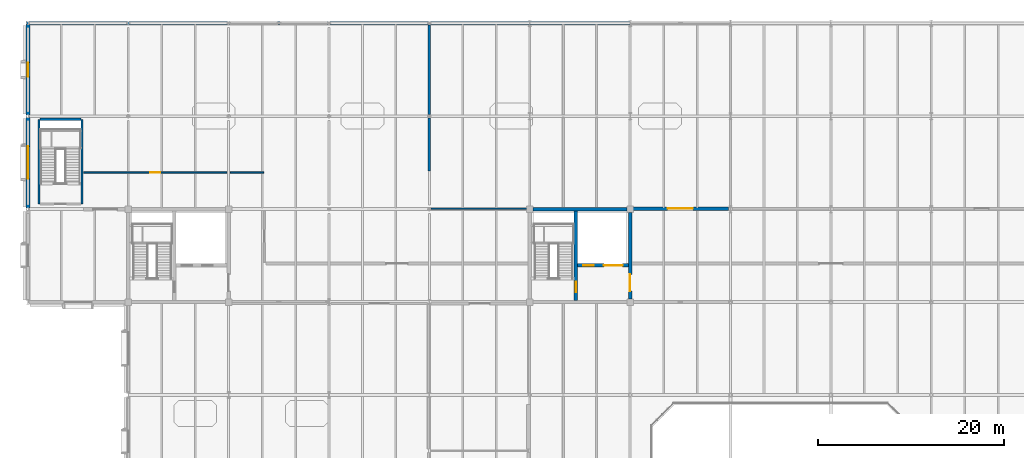
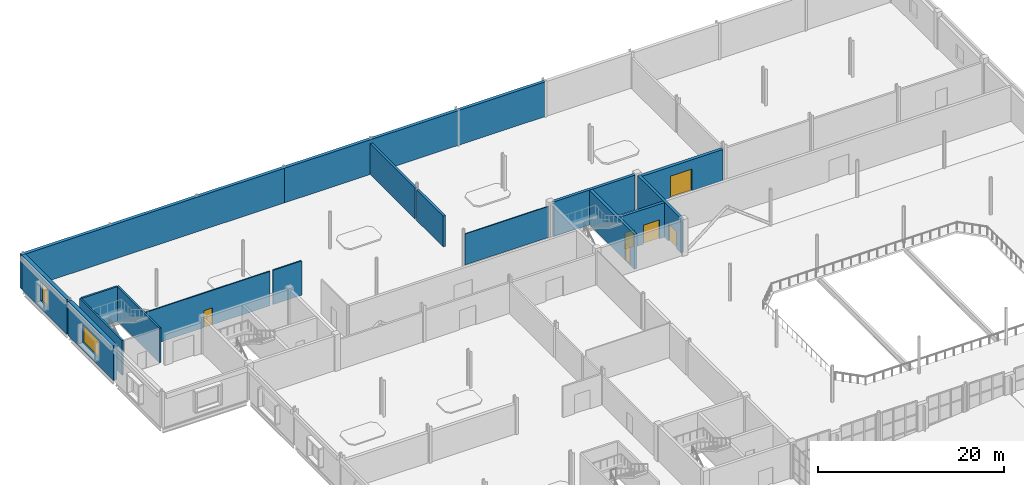
# One storey, part 78 of 92: 17 walls, 6 doors, 2 windows, 8 openings.
"""IFC4 building model written with IfcOpenShell, lengths in metres."""

from ifc_helpers import new_model, si_unit, direction, frame, frame_2d, origin, place, context, subcontext, project, spatial, rectangle, extrude, material, layer, layer_set, type_object, element, fill, save


model = new_model("IFC4")

# Units and contexts
model_context = context("Model", 3, precision=1e-05, world=origin(), true_north=direction((0.0, 1.0)))
body_context = subcontext(model_context, "Body", "Model", "MODEL_VIEW")
ifc_project = project(units=[si_unit("LENGTHUNIT", "METRE"), si_unit("AREAUNIT", "SQUARE_METRE"), si_unit("VOLUMEUNIT", "CUBIC_METRE"), si_unit("PLANEANGLEUNIT", "RADIAN"), si_unit("MASSUNIT", "GRAM", prefix="KILO")], contexts=[model_context])

# Site, building, storey
site_placement = place(None, origin())
site = spatial("IfcSite", under=ifc_project, at=site_placement, CompositionType="ELEMENT")
building_placement = place(site_placement, origin())
building = spatial("IfcBuilding", under=site, at=building_placement, Name="Tasgan Crest Museum", CompositionType="ELEMENT")
storey_placement = place(building_placement, frame((0.0, 0.0, 4.800048828125)))
storey = spatial("IfcBuildingStorey", under=building, at=storey_placement, Name="L01", CompositionType="ELEMENT", Elevation=4.800048828125)

# Wall
ifc_material_1 = material(Name="Concrete C40/50", Category="concrete")
ifc_layer_1 = layer(ifc_material_1, 0.35009765625, Name="WL-CORE-350")
ifc_layer_set_1 = layer_set([ifc_layer_1], Name="Concrete C40/50")
wall_type_1 = type_object("IfcWallType", Name="WL-CORE-350", PredefinedType="SHEAR", material=ifc_layer_set_1)
wall_1_placement = place(storey_placement, frame((54.35009765625, 92.0, 0.0), z_axis=(0.0, 0.0, 1.0), x_axis=(1.0, 0.0, 0.0)))
element("IfcWall", 1, at=wall_1_placement, inside=storey, type_object=wall_type_1, Name="North-Central Sawtooth Core north shear wall L01", PredefinedType="SHEAR", context=body_context, shape_type="SweptSolid", body=[
    extrude(rectangle(XDim=10.099853515625, YDim=0.35009765625, at=frame_2d((5.0498046875, 0.0))), origin(), (0.0, 0.0, 1.0), 4.56005859375),
])

# Wall, opening, door
wall_2_placement = place(storey_placement, frame((64.800048828125, 82.35009765625, 0.0), z_axis=(0.0, 0.0, 1.0), x_axis=(0.0, 1.0, 0.0)))
wall_2 = element("IfcWall", 2, at=wall_2_placement, inside=storey, type_object=wall_type_1, Name="North-Central Sawtooth Core east shear wall L01", PredefinedType="SHEAR", context=body_context, shape_type="SweptSolid", body=[
    extrude(rectangle(XDim=9.2998046875, YDim=0.35009765625, at=frame_2d((4.64990234375, 0.0))), origin(), (0.0, 0.0, 1.0), 4.56005859375),
])
opening_1_placement = place(wall_2_placement, frame((0.830078125, 0.0, 0.0)))
opening_1 = element("IfcOpeningElement", 3, at=opening_1_placement, cuts=wall_2, Name="Opening LD-NC-L01", PredefinedType="OPENING", context=body_context, shape_type="SweptSolid", body=[
    extrude(rectangle(XDim=1.800048828125, YDim=2.25, at=frame_2d((0.89990234375, 1.125))), frame((0.0, 0.18505859375, 0.0), z_axis=(0.0, -1.0, 0.0), x_axis=(1.0, 0.0, 0.0)), (0.0, 0.0, 1.0), 0.3701171875),
])
ifc_material_2 = material(Name="Fire-Rated Double Lobby Door")
door_type_1 = type_object("IfcDoorType", Name="DR-FD2-1800", OperationType="NOTDEFINED", PredefinedType="DOOR", material=ifc_material_2)
door_1_placement = place(opening_1_placement, origin())
door_1 = element("IfcDoor", 4, at=door_1_placement, inside=storey, type_object=door_type_1, Name="North-Central Sawtooth Core lobby door L01", OperationType="DOUBLE_DOOR_SINGLE_SWING", OverallHeight=2.25, OverallWidth=1.800048828125, PredefinedType="DOOR", context=body_context, shape_type="SweptSolid", body=[
    extrude(rectangle(XDim=1.800048828125, YDim=2.25, at=frame_2d((0.89990234375, 1.125))), frame((0.0, 0.02490234375, 0.0), z_axis=(0.0, -1.0, 0.0), x_axis=(1.0, 0.0, 0.0)), (0.0, 0.0, 1.0), 0.050048828125),
])
fill(opening_1, door_1)

wall_3_placement = place(storey_placement, frame((58.949951171875, 82.175048828125, 0.0), z_axis=(0.0, 0.0, 1.0), x_axis=(0.0, 1.0, 0.0)))
wall_3 = element("IfcWall", 5, at=wall_3_placement, inside=storey, type_object=wall_type_1, Name="North-Central Sawtooth Core stair-lobby shear wall L01", PredefinedType="SHEAR", context=body_context, shape_type="SweptSolid", body=[
    extrude(rectangle(XDim=9.64990234375, YDim=0.35009765625, at=frame_2d((4.824951171875, 0.0))), origin(), (0.0, 0.0, 1.0), 4.56005859375),
])
opening_2_placement = place(wall_3_placement, frame((0.89990234375, 0.0, 0.0)))
opening_2 = element("IfcOpeningElement", 6, at=opening_2_placement, cuts=wall_3, Name="Opening SD-NC-L01", PredefinedType="OPENING", context=body_context, shape_type="SweptSolid", body=[
    extrude(rectangle(XDim=1.10009765625, YDim=2.199951171875, at=frame_2d((0.550048828125, 1.10009765625))), frame((0.0, 0.18505859375, 0.0), z_axis=(0.0, -1.0, 0.0), x_axis=(1.0, 0.0, 0.0)), (0.0, 0.0, 1.0), 0.3701171875),
])
ifc_material_3 = material(Name="Fire-Rated Steel Door", Category="steel")
door_type_2 = type_object("IfcDoorType", Name="DR-FD1-1100", OperationType="NOTDEFINED", PredefinedType="DOOR", material=ifc_material_3)
door_2_placement = place(opening_2_placement, origin())
door_2 = element("IfcDoor", 7, at=door_2_placement, inside=storey, type_object=door_type_2, Name="North-Central Sawtooth Core stair door L01", OperationType="SINGLE_SWING_RIGHT", OverallHeight=2.199951171875, OverallWidth=1.10009765625, PredefinedType="DOOR", context=body_context, shape_type="SweptSolid", body=[
    extrude(rectangle(XDim=1.10009765625, YDim=2.199951171875, at=frame_2d((0.550048828125, 1.10009765625))), frame((0.0, 0.02490234375, 0.0), z_axis=(0.0, -1.0, 0.0), x_axis=(1.0, 0.0, 0.0)), (0.0, 0.0, 1.0), 0.050048828125),
])
fill(opening_2, door_2)

# Wall, openings, doors
wall_4_placement = place(storey_placement, frame((59.1298828125, 85.949951171875, 0.0), z_axis=(0.0, 0.0, 1.0), x_axis=(1.0, 0.0, 0.0)))
wall_4 = element("IfcWall", 8, at=wall_4_placement, inside=storey, type_object=wall_type_1, Name="North-Central Sawtooth Core lift-shaft wall L01", PredefinedType="SHEAR", context=body_context, shape_type="SweptSolid", body=[
    extrude(rectangle(XDim=5.490234375, YDim=0.35009765625, at=frame_2d((2.7451171875, 0.0))), origin(), (0.0, 0.0, 1.0), 4.56005859375),
])
opening_3_placement = place(wall_4_placement, frame((0.64990234375, 0.0, 0.0)))
opening_3 = element("IfcOpeningElement", 9, at=opening_3_placement, cuts=wall_4, Name="Opening LD-FL2", PredefinedType="OPENING", context=body_context, shape_type="SweptSolid", body=[
    extrude(rectangle(XDim=1.10009765625, YDim=2.199951171875, at=frame_2d((0.550048828125, 1.10009765625))), frame((0.0, 0.18505859375, 0.0), z_axis=(0.0, -1.0, 0.0), x_axis=(1.0, 0.0, 0.0)), (0.0, 0.0, 1.0), 0.3701171875),
])
opening_4_placement = place(wall_4_placement, frame((2.85009765625, 0.0, 0.0)))
opening_4 = element("IfcOpeningElement", 10, at=opening_4_placement, cuts=wall_4, Name="Opening LD-GL1", PredefinedType="OPENING", context=body_context, shape_type="SweptSolid", body=[
    extrude(rectangle(XDim=2.0, YDim=2.5, at=frame_2d((1.0, 1.25))), frame((0.0, 0.18505859375, 0.0), z_axis=(0.0, -1.0, 0.0), x_axis=(1.0, 0.0, 0.0)), (0.0, 0.0, 1.0), 0.3701171875),
])
ifc_material_4 = material(Name="Stainless Steel Firefighting Lift Landing Door", Category="steel")
door_type_3 = type_object("IfcDoorType", Name="LD-FF-1100", OperationType="NOTDEFINED", PredefinedType="DOOR", material=ifc_material_4)
door_3_placement = place(opening_3_placement, origin())
door_3 = element("IfcDoor", 11, at=door_3_placement, inside=storey, type_object=door_type_3, Name="Firefighting lift landing door FL2 L01", OperationType="DOUBLE_DOOR_SLIDING", OverallHeight=2.199951171875, OverallWidth=1.10009765625, PredefinedType="DOOR", context=body_context, shape_type="SweptSolid", body=[
    extrude(rectangle(XDim=1.10009765625, YDim=2.199951171875, at=frame_2d((0.550048828125, 1.10009765625))), frame((0.0, 0.02490234375, 0.0), z_axis=(0.0, -1.0, 0.0), x_axis=(1.0, 0.0, 0.0)), (0.0, 0.0, 1.0), 0.050048828125),
])
fill(opening_3, door_3)
ifc_material_5 = material(Name="Heavy-Duty Bi-Parting Goods Lift Landing Door")
door_type_4 = type_object("IfcDoorType", Name="LD-GDS-2000", OperationType="NOTDEFINED", PredefinedType="DOOR", material=ifc_material_5)
door_4_placement = place(opening_4_placement, origin())
door_4 = element("IfcDoor", 12, at=door_4_placement, inside=storey, type_object=door_type_4, Name="Lift landing sliding door GL1 L01", OperationType="DOUBLE_DOOR_SLIDING", OverallHeight=2.5, OverallWidth=2.0, PredefinedType="DOOR", context=body_context, shape_type="SweptSolid", body=[
    extrude(rectangle(XDim=2.0, YDim=2.5, at=frame_2d((1.0, 1.25))), frame((0.0, 0.02490234375, 0.0), z_axis=(0.0, -1.0, 0.0), x_axis=(1.0, 0.0, 0.0)), (0.0, 0.0, 1.0), 0.050048828125),
])
fill(opening_4, door_4)

# Wall, opening, window
ifc_material_6 = material(Name="Precast concrete C40/50", Category="concrete")
ifc_layer_2 = layer(ifc_material_6, 0.449951171875, Name="WL-EXT-LIME-450")
ifc_layer_set_2 = layer_set([ifc_layer_2], Name="Precast concrete C40/50")
wall_type_2 = type_object("IfcWallType", Name="WL-EXT-LIME-450", PredefinedType="STANDARD", material=ifc_layer_set_2)
wall_5_placement = place(storey_placement, frame((0.0, 111.85498046875, 0.0), z_axis=(0.0, 0.0, 1.0), x_axis=(0.0, -1.0, 0.0)))
wall_5 = element("IfcWall", 13, at=wall_5_placement, inside=storey, type_object=wall_type_2, Name="Exterior wall L01 (0.0,107.0)", PredefinedType="STANDARD", context=body_context, shape_type="SweptSolid", body=[
    extrude(rectangle(XDim=9.7099609375, YDim=0.449951171875, at=frame_2d((4.85498046875, 0.0))), origin(), (0.0, 0.0, 1.0), 4.56005859375),
])
opening_5_placement = place(wall_5_placement, frame((4.080078125, 0.0, 1.0)))
opening_5 = element("IfcOpeningElement", 14, at=opening_5_placement, cuts=wall_5, Name="Opening W34", PredefinedType="OPENING", context=body_context, shape_type="SweptSolid", body=[
    extrude(rectangle(XDim=1.550048828125, YDim=2.5, at=frame_2d((0.77490234375, 1.25))), frame((0.0, 0.23486328125, 0.0), z_axis=(0.0, -1.0, 0.0), x_axis=(1.0, 0.0, 0.0)), (0.0, 0.0, 1.0), 0.469970703125),
])
ifc_material_7 = material(Name="Thermally Broken Triple-Glazed Aluminium", Category="aluminium")
window_type_1 = type_object("IfcWindowType", Name="WN-GAL-1550X2500", PartitioningType="SINGLE_PANEL", PredefinedType="WINDOW", material=ifc_material_7)
window_1_placement = place(opening_5_placement, origin())
window_1 = element("IfcWindow", 15, at=window_1_placement, inside=storey, type_object=window_type_1, Name="Window W34 L01-028", OverallHeight=2.5, OverallWidth=1.550048828125, PartitioningType="SINGLE_PANEL", PredefinedType="WINDOW", context=body_context, shape_type="SweptSolid", body=[
    extrude(rectangle(XDim=1.550048828125, YDim=2.5, at=frame_2d((0.77490234375, 1.25))), frame((0.0, 0.030029296875, 0.0), z_axis=(0.0, -1.0, 0.0), x_axis=(1.0, 0.0, 0.0)), (0.0, 0.0, 1.0), 0.06005859375),
])
fill(opening_5, window_1)

wall_6_placement = place(storey_placement, frame((0.0, 101.85498046875, 0.0), z_axis=(0.0, 0.0, 1.0), x_axis=(0.0, -1.0, 0.0)))
wall_6 = element("IfcWall", 16, at=wall_6_placement, inside=storey, type_object=wall_type_2, Name="Exterior wall L01 (0.0,97.0)", PredefinedType="STANDARD", context=body_context, shape_type="SweptSolid", body=[
    extrude(rectangle(XDim=9.7099609375, YDim=0.449951171875, at=frame_2d((4.85498046875, 0.0))), origin(), (0.0, 0.0, 1.0), 4.56005859375),
])
opening_6_placement = place(wall_6_placement, frame((3.10498046875, 0.0, 1.0)))
opening_6 = element("IfcOpeningElement", 17, at=opening_6_placement, cuts=wall_6, Name="Opening W32", PredefinedType="OPENING", context=body_context, shape_type="SweptSolid", body=[
    extrude(rectangle(XDim=3.5, YDim=2.300048828125, at=frame_2d((1.75, 1.14990234375))), frame((0.0, 0.23486328125, 0.0), z_axis=(0.0, -1.0, 0.0), x_axis=(1.0, 0.0, 0.0)), (0.0, 0.0, 1.0), 0.469970703125),
])
ifc_material_8 = material(Name="Thermally Broken Triple-Glazed Aluminium", Category="aluminium")
window_type_2 = type_object("IfcWindowType", Name="WN-GAL-3500X2300", PartitioningType="SINGLE_PANEL", PredefinedType="WINDOW", material=ifc_material_8)
window_2_placement = place(opening_6_placement, origin())
window_2 = element("IfcWindow", 18, at=window_2_placement, inside=storey, type_object=window_type_2, Name="Window W32 L01-029", OverallHeight=2.300048828125, OverallWidth=3.5, PartitioningType="SINGLE_PANEL", PredefinedType="WINDOW", context=body_context, shape_type="SweptSolid", body=[
    extrude(rectangle(XDim=3.5, YDim=2.300048828125, at=frame_2d((1.75, 1.14990234375))), frame((0.0, 0.030029296875, 0.0), z_axis=(0.0, -1.0, 0.0), x_axis=(1.0, 0.0, 0.0)), (0.0, 0.0, 1.0), 0.06005859375),
])
fill(opening_6, window_2)

# Walls
ifc_material_9 = material(Name="Concrete C40/50", Category="concrete")
ifc_layer_3 = layer(ifc_material_9, 0.39990234375, Name="WL-RET-400")
ifc_layer_set_3 = layer_set([ifc_layer_3], Name="Concrete C40/50")
wall_type_3 = type_object("IfcWallType", Name="WL-RET-400", PredefinedType="USERDEFINED", material=ifc_layer_set_3)
wall_7_placement = place(storey_placement, frame((-0.219970703125, 112.0, 0.0), z_axis=(0.0, 0.0, 1.0), x_axis=(1.0, 0.0, 0.0)))
element("IfcWall", 19, at=wall_7_placement, inside=storey, type_object=wall_type_3, Name="Hillside retaining wall L01 N bay 1", ObjectType="RETAININGWALL", PredefinedType="USERDEFINED", context=body_context, shape_type="SweptSolid", body=[
    extrude(rectangle(XDim=32.619873046875, YDim=0.39990234375, at=frame_2d((16.31005859375, 0.0))), origin(), (0.0, 0.0, 1.0), 4.56005859375),
])
wall_8_placement = place(storey_placement, frame((32.39990234375, 112.0, 0.0), z_axis=(0.0, 0.0, 1.0), x_axis=(1.0, 0.0, 0.0)))
element("IfcWall", 20, at=wall_8_placement, inside=storey, type_object=wall_type_3, Name="Hillside retaining wall L01 N bay 2", ObjectType="RETAININGWALL", PredefinedType="USERDEFINED", context=body_context, shape_type="SweptSolid", body=[
    extrude(rectangle(XDim=32.400146484375, YDim=0.39990234375, at=frame_2d((16.2001953125, 0.0))), origin(), (0.0, 0.0, 1.0), 4.56005859375),
])
ifc_material_10 = material(Name="Gypsum Acoustic Museum Partition")
ifc_layer_4 = layer(ifc_material_10, 0.1298828125, Name="WL-SCH-02")
ifc_layer_set_4 = layer_set([ifc_layer_4], Name="Gypsum Acoustic Museum Partition")
wall_type_4 = type_object("IfcWallType", Name="WL-SCH-02", PredefinedType="PARTITIONING", material=ifc_layer_set_4)
wall_9_placement = place(storey_placement, frame((43.3798828125, 92.050048828125, 0.0), z_axis=(0.0, 0.0, 1.0), x_axis=(1.0, 0.0, 0.0)))
element("IfcWall", 21, at=wall_9_placement, inside=storey, type_object=wall_type_4, Name="Partition Subarctic Conifer Display Gallery / Daurian Wetland Diorama Gallery L01", PredefinedType="PARTITIONING", context=body_context, shape_type="SweptSolid", body=[
    extrude(rectangle(XDim=10.440185546875, YDim=0.1298828125, at=frame_2d((5.22021484375, 0.0))), origin(), (0.0, 0.0, 1.0), 4.06884765625),
])

# Wall, opening, door
ifc_material_11 = material(Name="Gypsum Acoustic Museum Partition")
ifc_layer_5 = layer(ifc_material_11, 0.14990234375, Name="WL-SCH-03")
ifc_layer_set_5 = layer_set([ifc_layer_5], Name="Gypsum Acoustic Museum Partition")
wall_type_5 = type_object("IfcWallType", Name="WL-SCH-03", PredefinedType="PARTITIONING", material=ifc_layer_set_5)
wall_10_placement = place(storey_placement, frame((6.0, 95.949951171875, 0.0), z_axis=(0.0, 0.0, 1.0), x_axis=(1.0, 0.0, 0.0)))
wall_10 = element("IfcWall", 22, at=wall_10_placement, inside=storey, type_object=wall_type_5, Name="Partition L01 North-West Stair Link Corridor / Khuvsgul Larch Forest Ecology Gallery L01", PredefinedType="PARTITIONING", context=body_context, shape_type="SweptSolid", body=[
    extrude(rectangle(XDim=15.419921875, YDim=0.14990234375, at=frame_2d((7.7099609375, 0.0))), origin(), (0.0, 0.0, 1.0), 4.52001953125),
])
opening_7_placement = place(wall_10_placement, frame((7.179931640625, 0.0, 0.0)))
opening_7 = element("IfcOpeningElement", 23, at=opening_7_placement, cuts=wall_10, Name="Opening D050", PredefinedType="OPENING", context=body_context, shape_type="SweptSolid", body=[
    extrude(rectangle(XDim=1.06005859375, YDim=2.219970703125, at=frame_2d((0.530029296875, 1.10986328125))), frame((0.0, 0.0849609375, 0.0), z_axis=(0.0, -1.0, 0.0), x_axis=(1.0, 0.0, 0.0)), (0.0, 0.0, 1.0), 0.169921875),
])
ifc_material_12 = material(Name="Oak and Brushed Bronze Acoustic Door")
door_type_5 = type_object("IfcDoorType", Name="DR-SCH-22", OperationType="NOTDEFINED", PredefinedType="DOOR", material=ifc_material_12)
door_5_placement = place(opening_7_placement, origin())
door_5 = element("IfcDoor", 24, at=door_5_placement, inside=storey, type_object=door_type_5, Name="Khuvsgul Larch Forest Ecology Gallery door D050", OperationType="SINGLE_SWING_LEFT", OverallHeight=2.219970703125, OverallWidth=1.06005859375, PredefinedType="DOOR", context=body_context, shape_type="SweptSolid", body=[
    extrude(rectangle(XDim=1.06005859375, YDim=2.219970703125, at=frame_2d((0.530029296875, 1.10986328125))), frame((0.0, 0.02490234375, 0.0), z_axis=(0.0, -1.0, 0.0), x_axis=(1.0, 0.0, 0.0)), (0.0, 0.0, 1.0), 0.050048828125),
])
fill(opening_7, door_5)

# Walls
wall_11_placement = place(storey_placement, frame((21.780029296875, 95.949951171875, 0.0), z_axis=(0.0, 0.0, 1.0), x_axis=(1.0, 0.0, 0.0)))
element("IfcWall", 25, at=wall_11_placement, inside=storey, type_object=wall_type_5, Name="Partition L01 West Core Link Corridor / Khuvsgul Larch Forest Ecology Gallery L01", PredefinedType="PARTITIONING", context=body_context, shape_type="SweptSolid", body=[
    extrude(rectangle(XDim=3.570068359375, YDim=0.14990234375, at=frame_2d((1.78515625, 0.0))), origin(), (0.0, 0.0, 1.0), 4.52001953125),
])
ifc_material_13 = material(Name="Gypsum Acoustic Museum Partition")
ifc_layer_6 = layer(ifc_material_13, 0.2900390625, Name="WL-SCH-09")
ifc_layer_set_6 = layer_set([ifc_layer_6], Name="Gypsum Acoustic Museum Partition")
wall_type_6 = type_object("IfcWallType", Name="WL-SCH-09", PredefinedType="PARTITIONING", material=ifc_layer_set_6)
wall_12_placement = place(storey_placement, frame((43.199951171875, 96.10009765625, 0.0), z_axis=(0.0, 0.0, 1.0), x_axis=(0.0, 1.0, 0.0)))
element("IfcWall", 26, at=wall_12_placement, inside=storey, type_object=wall_type_6, Name="Partition Khuvsgul Larch Forest Ecology Gallery / Daurian Wetland Diorama Gallery L01", PredefinedType="PARTITIONING", context=body_context, shape_type="SweptSolid", body=[
    extrude(rectangle(XDim=5.699951171875, YDim=0.2900390625, at=frame_2d((2.85009765625, 0.0))), origin(), (0.0, 0.0, 1.0), 4.06005859375),
])
wall_13_placement = place(storey_placement, frame((43.199951171875, 102.199951171875, 0.0), z_axis=(0.0, 0.0, 1.0), x_axis=(0.0, 1.0, 0.0)))
element("IfcWall", 27, at=wall_13_placement, inside=storey, type_object=wall_type_6, Name="Partition Khuvsgul Larch Forest Ecology Gallery / Daurian Wetland Diorama Gallery L01", PredefinedType="PARTITIONING", context=body_context, shape_type="SweptSolid", body=[
    extrude(rectangle(XDim=9.6201171875, YDim=0.2900390625, at=frame_2d((4.81005859375, 0.0))), origin(), (0.0, 0.0, 1.0), 4.06005859375),
])

# Wall, opening, door
ifc_material_14 = material(Name="Gypsum Acoustic Museum Partition")
ifc_layer_7 = layer(ifc_material_14, 0.389892578125, Name="WL-SCH-13")
ifc_layer_set_7 = layer_set([ifc_layer_7], Name="Gypsum Acoustic Museum Partition")
wall_type_7 = type_object("IfcWallType", Name="WL-SCH-13", PredefinedType="PARTITIONING", material=ifc_layer_set_7)
wall_14_placement = place(storey_placement, frame((64.97998046875, 92.050048828125, 0.0), z_axis=(0.0, 0.0, 1.0), x_axis=(1.0, 0.0, 0.0)))
wall_14 = element("IfcWall", 28, at=wall_14_placement, inside=storey, type_object=wall_type_7, Name="Partition Avian Migration Gallery / Daurian Wetland Diorama Gallery L01", PredefinedType="PARTITIONING", context=body_context, shape_type="SweptSolid", body=[
    extrude(rectangle(XDim=10.419921875, YDim=0.389892578125, at=frame_2d((5.2099609375, 0.0))), origin(), (0.0, 0.0, 1.0), 4.06884765625),
])
opening_8_placement = place(wall_14_placement, frame((3.860107421875, 0.0, 0.0)))
opening_8 = element("IfcOpeningElement", 29, at=opening_8_placement, cuts=wall_14, Name="Opening D048", PredefinedType="OPENING", context=body_context, shape_type="SweptSolid", body=[
    extrude(rectangle(XDim=2.699951171875, YDim=2.85009765625, at=frame_2d((1.35009765625, 1.425048828125))), frame((0.0, 0.204833984375, 0.0), z_axis=(0.0, -1.0, 0.0), x_axis=(1.0, 0.0, 0.0)), (0.0, 0.0, 1.0), 0.409912109375),
])
ifc_material_15 = material(Name="Oak and Brushed Bronze Acoustic Door")
door_type_6 = type_object("IfcDoorType", Name="DR-SCH-20", OperationType="NOTDEFINED", PredefinedType="DOOR", material=ifc_material_15)
door_6_placement = place(opening_8_placement, origin())
door_6 = element("IfcDoor", 30, at=door_6_placement, inside=storey, type_object=door_type_6, Name="Daurian Wetland Diorama Gallery door D048", OperationType="DOUBLE_DOOR_SINGLE_SWING", OverallHeight=2.85009765625, OverallWidth=2.699951171875, PredefinedType="DOOR", context=body_context, shape_type="SweptSolid", body=[
    extrude(rectangle(XDim=2.699951171875, YDim=2.85009765625, at=frame_2d((1.35009765625, 1.425048828125))), frame((0.0, 0.02490234375, 0.0), z_axis=(0.0, -1.0, 0.0), x_axis=(1.0, 0.0, 0.0)), (0.0, 0.0, 1.0), 0.050048828125),
])
fill(opening_8, door_6)

# Walls
ifc_material_16 = material(Name="Concrete C40/50", Category="concrete")
ifc_layer_8 = layer(ifc_material_16, 0.219970703125, Name="WL-SHAFT-220")
ifc_layer_set_8 = layer_set([ifc_layer_8], Name="Concrete C40/50")
wall_type_8 = type_object("IfcWallType", Name="WL-SHAFT-220", PredefinedType="SHEAR", material=ifc_layer_set_8)
for number, where, z_axis, x_axis, name in (
    (31, (1.179931640625, 92.530029296875, 0.0), (0.0, 0.0, 1.0), (0.0, 1.0, 0.0), "GALW stairwell wall L01 W"),
    (32, (5.820068359375, 92.530029296875, 0.0), (0.0, 0.0, 1.0), (0.0, 1.0, 0.0), "GALW stairwell wall L01 E"),
):
    element("IfcWall", number, at=place(storey_placement, frame(where, z_axis=z_axis, x_axis=x_axis)), inside=storey, type_object=wall_type_8, Name=name, PredefinedType="SHEAR", context=body_context, shape_type="SweptSolid", body=[
        extrude(rectangle(XDim=9.139892578125, YDim=0.219970703125, at=frame_2d((4.56982421875, 0.0))), origin(), (0.0, 0.0, 1.0), 4.56005859375),
    ])
wall_15_placement = place(storey_placement, frame((1.300048828125, 101.669921875, 0.0), z_axis=(0.0, 0.0, 1.0), x_axis=(1.0, 0.0, 0.0)))
element("IfcWall", 33, at=wall_15_placement, inside=storey, type_object=wall_type_8, Name="GALW stairwell wall L01 N", PredefinedType="SHEAR", context=body_context, shape_type="SweptSolid", body=[
    extrude(rectangle(XDim=4.39990234375, YDim=0.219970703125, at=frame_2d((2.199951171875, 0.0))), origin(), (0.0, 0.0, 1.0), 4.56005859375),
])

save(model, "model.ifc")
